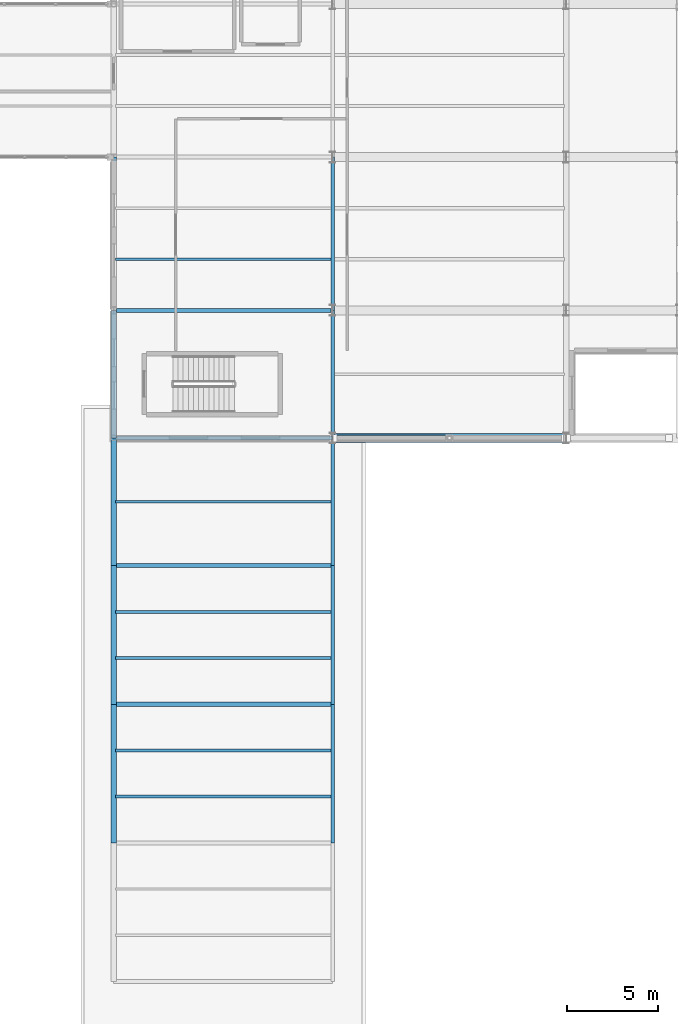
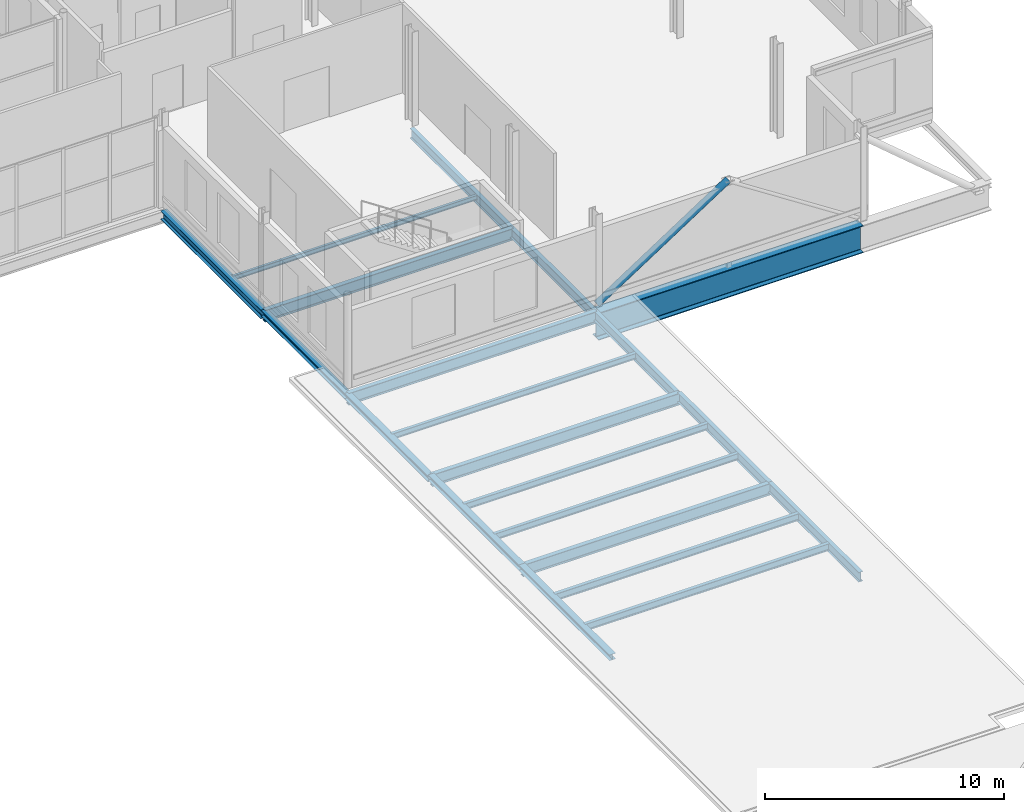
# One storey, part 57 of 120: 21 beams, 1 member.
"""IFC4 building model written with IfcOpenShell, lengths in metres."""

from ifc_helpers import new_model, si_unit, direction, frame, origin, origin_2d, place, context, subcontext, project, spatial, hollow_circle, i_section, extrude, material, material_profile, profile_set, type_object, element, save


model = new_model("IFC4")

# Units and contexts
model_context = context("Model", 3, precision=1e-05, world=origin(), true_north=direction((0.0, 1.0)))
body_context = subcontext(model_context, "Body", "Model", "MODEL_VIEW")
ifc_project = project(units=[si_unit("LENGTHUNIT", "METRE"), si_unit("AREAUNIT", "SQUARE_METRE"), si_unit("VOLUMEUNIT", "CUBIC_METRE"), si_unit("PLANEANGLEUNIT", "RADIAN"), si_unit("MASSUNIT", "GRAM", prefix="KILO")], contexts=[model_context])

# Site, building, storey
site_placement = place(None, origin())
site = spatial("IfcSite", under=ifc_project, at=site_placement, CompositionType="ELEMENT")
building_placement = place(site_placement, origin())
building = spatial("IfcBuilding", under=site, at=building_placement, Name="Vekula Escarpment Museum", CompositionType="ELEMENT")
storey_placement = place(building_placement, frame((0.0, 0.0, 13.199951171875)))
storey = spatial("IfcBuildingStorey", under=building, at=storey_placement, Name="L03", CompositionType="ELEMENT", Elevation=13.199951171875)

# Beams
ifc_material_1 = material(Name="Steel S355", Category="steel")
ifc_material_profile_1 = material_profile(ifc_material_1, i_section(OverallWidth=0.5, OverallDepth=1.39990234375, WebThickness=0.02392578125, FlangeThickness=0.0400390625, FilletRadius=0.02392578125, at=origin_2d()), Name="WPG 1400x500")
ifc_profile_set_1 = profile_set([ifc_material_profile_1], Name="Steel S355")
beam_type_1 = type_object("IfcBeamType", Name="BM-CUMBA-GIRD", PredefinedType="BEAM", material=ifc_profile_set_1)
beam_1_placement = place(storey_placement, frame((179.0, 52.60009765625, -0.97998046875), z_axis=(1.0, 0.0, 0.0), x_axis=(0.0, 1.0, 0.0)))
element("IfcBeam", 1, at=beam_1_placement, inside=storey, type_object=beam_type_1, Name="Beam X L03 1337", PredefinedType="BEAM", context=body_context, shape_type="SweptSolid", body=[
    extrude(i_section(OverallWidth=0.5, OverallDepth=1.39990234375, WebThickness=0.02392578125, FlangeThickness=0.0400390625, FilletRadius=0.02392578125, at=origin_2d()), origin(), (0.0, 0.0, 1.0), 12.800048828125),
])
ifc_material_2 = material(Name="Steel S355", Category="steel")
ifc_material_profile_2 = material_profile(ifc_material_2, i_section(OverallWidth=0.199951171875, OverallDepth=0.5, WebThickness=0.01025390625, FlangeThickness=0.01611328125, FilletRadius=0.02099609375, at=origin_2d()), Name="IPE 500")
ifc_profile_set_2 = profile_set([ifc_material_profile_2], Name="Steel S355")
beam_type_2 = type_object("IfcBeamType", Name="BM-GIRD-IPE500", PredefinedType="BEAM", material=ifc_profile_set_2)
for number, where, z_axis, x_axis, name in (
    (2, (179.0, 30.39990234375, -0.449951171875), (0.0, 1.0, 0.0), (-1.0, 0.0, 0.0), "Beam Y L03 1659"),
    (3, (179.0, 38.0, -0.449951171875), (0.0, 1.0, 0.0), (-1.0, 0.0, 0.0), "Beam Y L03 1660"),
):
    element("IfcBeam", number, at=place(storey_placement, frame(where, z_axis=z_axis, x_axis=x_axis)), inside=storey, type_object=beam_type_2, Name=name, PredefinedType="BEAM", context=body_context, shape_type="SweptSolid", body=[
        extrude(i_section(OverallWidth=0.199951171875, OverallDepth=0.5, WebThickness=0.01025390625, FlangeThickness=0.01611328125, FilletRadius=0.02099609375, at=origin_2d()), origin(), (0.0, 0.0, 1.0), 7.60009765625),
    ])
for number, where, z_axis, x_axis, name in (
    (4, (179.0, 45.60009765625, -0.530029296875), (0.0, 1.0, 0.0), (-1.0, 0.0, 0.0), "Beam Y L03 1661"),
    (5, (179.0, 52.60009765625, -0.530029296875), (0.0, 1.0, 0.0), (-1.0, 0.0, 0.0), "Beam Y L03 1662"),
):
    element("IfcBeam", number, at=place(storey_placement, frame(where, z_axis=z_axis, x_axis=x_axis)), inside=storey, type_object=beam_type_2, Name=name, PredefinedType="BEAM", context=body_context, shape_type="SweptSolid", body=[
        extrude(i_section(OverallWidth=0.199951171875, OverallDepth=0.5, WebThickness=0.01025390625, FlangeThickness=0.01611328125, FilletRadius=0.02099609375, at=origin_2d()), origin(), (0.0, 0.0, 1.0), 7.0),
    ])
beam_2_placement = place(storey_placement, frame((179.0, 59.60009765625, -0.530029296875), z_axis=(0.0, 1.0, 0.0), x_axis=(-1.0, 0.0, 0.0)))
element("IfcBeam", 6, at=beam_2_placement, inside=storey, type_object=beam_type_2, Name="Beam Y L03 1663", PredefinedType="BEAM", context=body_context, shape_type="SweptSolid", body=[
    extrude(i_section(OverallWidth=0.199951171875, OverallDepth=0.5, WebThickness=0.01025390625, FlangeThickness=0.01611328125, FilletRadius=0.02099609375, at=origin_2d()), origin(), (0.0, 0.0, 1.0), 8.39990234375),
])
ifc_material_3 = material(Name="Steel S355", Category="steel")
ifc_material_profile_3 = material_profile(ifc_material_3, i_section(OverallWidth=0.219970703125, OverallDepth=0.60009765625, WebThickness=0.011962890625, FlangeThickness=0.01904296875, FilletRadius=0.02392578125, at=origin_2d()), Name="IPE 600")
ifc_profile_set_3 = profile_set([ifc_material_profile_3], Name="Steel S355")
beam_type_3 = type_object("IfcBeamType", Name="BM-GIRD-IPE600", PredefinedType="BEAM", material=ifc_profile_set_3)
for number, where, z_axis, x_axis, name in (
    (7, (167.0, 38.0, -0.5), (1.0, 0.0, 0.0), (0.0, 1.0, 0.0), "Beam X L03 1313"),
    (8, (167.0, 45.60009765625, -0.5), (1.0, 0.0, 0.0), (0.0, 1.0, 0.0), "Beam X L03 1322"),
    (9, (167.0, 52.60009765625, -0.579833984375), (1.0, 0.0, 0.0), (0.0, 1.0, 0.0), "Beam X L03 1336"),
    (10, (167.0, 59.60009765625, -0.579833984375), (1.0, 0.0, 0.0), (0.0, 1.0, 0.0), "Beam X L03 1354"),
):
    element("IfcBeam", number, at=place(storey_placement, frame(where, z_axis=z_axis, x_axis=x_axis)), inside=storey, type_object=beam_type_3, Name=name, PredefinedType="BEAM", context=body_context, shape_type="SweptSolid", body=[
        extrude(i_section(OverallWidth=0.219970703125, OverallDepth=0.60009765625, WebThickness=0.011962890625, FlangeThickness=0.01904296875, FilletRadius=0.02392578125, at=origin_2d()), origin(), (0.0, 0.0, 1.0), 12.0),
    ])
ifc_material_4 = material(Name="Steel S355", Category="steel")
ifc_material_profile_4 = material_profile(ifc_material_4, i_section(OverallWidth=0.1201171875, OverallDepth=0.239990234375, WebThickness=0.006103515625, FlangeThickness=0.009765625, FilletRadius=0.014892578125, at=origin_2d()), Name="IPE 240")
ifc_profile_set_4 = profile_set([ifc_material_profile_4], Name="Steel S355")
beam_type_4 = type_object("IfcBeamType", Name="BM-JST-IPE240", PredefinedType="JOIST", material=ifc_profile_set_4)
beam_3_placement = place(storey_placement, frame((167.090087890625, 62.39990234375, -0.39990234375), z_axis=(1.0, 0.0, 0.0), x_axis=(0.0, 1.0, 0.0)))
element("IfcBeam", 11, at=beam_3_placement, inside=storey, type_object=beam_type_4, Name="Secondary Joist L03 1101", PredefinedType="JOIST", context=body_context, shape_type="SweptSolid", body=[
    extrude(i_section(OverallWidth=0.1201171875, OverallDepth=0.239990234375, WebThickness=0.006103515625, FlangeThickness=0.009765625, FilletRadius=0.014892578125, at=origin_2d()), origin(), (0.0, 0.0, 1.0), 11.81982421875),
])
ifc_material_5 = material(Name="Steel S355", Category="steel")
ifc_material_profile_5 = material_profile(ifc_material_5, i_section(OverallWidth=0.14990234375, OverallDepth=0.300048828125, WebThickness=0.007080078125, FlangeThickness=0.0107421875, FilletRadius=0.014892578125, at=origin_2d()), Name="IPE 300")
ifc_profile_set_5 = profile_set([ifc_material_profile_5], Name="Steel S355")
beam_type_5 = type_object("IfcBeamType", Name="BM-JST-IPE300", PredefinedType="JOIST", material=ifc_profile_set_5)
beam_4_placement = place(storey_placement, frame((167.090087890625, 49.10009765625, -0.429931640625), z_axis=(1.0, 0.0, 0.0), x_axis=(0.0, 1.0, 0.0)))
element("IfcBeam", 12, at=beam_4_placement, inside=storey, type_object=beam_type_5, Name="Secondary Joist L03 1100", PredefinedType="JOIST", context=body_context, shape_type="SweptSolid", body=[
    extrude(i_section(OverallWidth=0.14990234375, OverallDepth=0.300048828125, WebThickness=0.007080078125, FlangeThickness=0.0107421875, FilletRadius=0.014892578125, at=origin_2d()), origin(), (0.0, 0.0, 1.0), 11.81982421875),
])
ifc_material_6 = material(Name="Steel S355", Category="steel")
ifc_material_profile_6 = material_profile(ifc_material_6, i_section(OverallWidth=0.159912109375, OverallDepth=0.330078125, WebThickness=0.007568359375, FlangeThickness=0.011474609375, FilletRadius=0.01806640625, at=origin_2d()), Name="IPE 330")
ifc_profile_set_6 = profile_set([ifc_material_profile_6], Name="Steel S355")
beam_type_6 = type_object("IfcBeamType", Name="BM-JST-IPE330", PredefinedType="JOIST", material=ifc_profile_set_6)
for number, where, z_axis, x_axis, name in (
    (13, (167.090087890625, 40.533203125, -0.364990234375), (1.0, 0.0, 0.0), (0.0, 1.0, 0.0), "Secondary Joist L03 1098"),
    (14, (167.090087890625, 43.066650390625, -0.364990234375), (1.0, 0.0, 0.0), (0.0, 1.0, 0.0), "Secondary Joist L03 1099"),
):
    element("IfcBeam", number, at=place(storey_placement, frame(where, z_axis=z_axis, x_axis=x_axis)), inside=storey, type_object=beam_type_6, Name=name, PredefinedType="JOIST", context=body_context, shape_type="SweptSolid", body=[
        extrude(i_section(OverallWidth=0.159912109375, OverallDepth=0.330078125, WebThickness=0.007568359375, FlangeThickness=0.011474609375, FilletRadius=0.01806640625, at=origin_2d()), origin(), (0.0, 0.0, 1.0), 11.81982421875),
    ])
ifc_material_7 = material(Name="Steel S355", Category="steel")
ifc_material_profile_7 = material_profile(ifc_material_7, i_section(OverallWidth=0.169921875, OverallDepth=0.360107421875, WebThickness=0.008056640625, FlangeThickness=0.0126953125, FilletRadius=0.01806640625, at=origin_2d()), Name="IPE 360")
ifc_profile_set_7 = profile_set([ifc_material_profile_7], Name="Steel S355")
beam_type_7 = type_object("IfcBeamType", Name="BM-JST-IPE360", PredefinedType="JOIST", material=ifc_profile_set_7)
for number, where, z_axis, x_axis, name in (
    (15, (167.090087890625, 32.933349609375, -0.3798828125), (1.0, 0.0, 0.0), (0.0, 1.0, 0.0), "Secondary Joist L03 1096"),
    (16, (167.090087890625, 35.466796875, -0.3798828125), (1.0, 0.0, 0.0), (0.0, 1.0, 0.0), "Secondary Joist L03 1097"),
):
    element("IfcBeam", number, at=place(storey_placement, frame(where, z_axis=z_axis, x_axis=x_axis)), inside=storey, type_object=beam_type_7, Name=name, PredefinedType="JOIST", context=body_context, shape_type="SweptSolid", body=[
        extrude(i_section(OverallWidth=0.169921875, OverallDepth=0.360107421875, WebThickness=0.008056640625, FlangeThickness=0.0126953125, FilletRadius=0.01806640625, at=origin_2d()), origin(), (0.0, 0.0, 1.0), 11.81982421875),
    ])
ifc_material_8 = material(Name="Steel S355", Category="steel")
ifc_material_profile_8 = material_profile(ifc_material_8, i_section(OverallWidth=0.300048828125, OverallDepth=0.2900390625, WebThickness=0.008544921875, FlangeThickness=0.013916015625, FilletRadius=0.027099609375, at=origin_2d()), Name="HEA 300")
ifc_profile_set_8 = profile_set([ifc_material_profile_8], Name="Steel S355")
beam_type_8 = type_object("IfcBeamType", Name="BM-SPAN-HEA300", PredefinedType="SPANDREL", material=ifc_profile_set_8)
for number, where, z_axis, x_axis, name in (
    (17, (167.0, 30.39990234375, -0.344970703125), (0.0, 1.0, 0.0), (-1.0, 0.0, 0.0), "Beam Y L03 1643"),
    (18, (167.0, 38.0, -0.344970703125), (0.0, 1.0, 0.0), (-1.0, 0.0, 0.0), "Beam Y L03 1644"),
):
    element("IfcBeam", number, at=place(storey_placement, frame(where, z_axis=z_axis, x_axis=x_axis)), inside=storey, type_object=beam_type_8, Name=name, PredefinedType="SPANDREL", context=body_context, shape_type="SweptSolid", body=[
        extrude(i_section(OverallWidth=0.300048828125, OverallDepth=0.2900390625, WebThickness=0.008544921875, FlangeThickness=0.013916015625, FilletRadius=0.027099609375, at=origin_2d()), origin(), (0.0, 0.0, 1.0), 7.60009765625),
    ])
for number, where, z_axis, x_axis, name in (
    (19, (167.0, 45.60009765625, -0.425048828125), (0.0, 1.0, 0.0), (-1.0, 0.0, 0.0), "Beam Y L03 1645"),
    (20, (167.0, 52.60009765625, -0.425048828125), (0.0, 1.0, 0.0), (-1.0, 0.0, 0.0), "Beam Y L03 1646"),
):
    element("IfcBeam", number, at=place(storey_placement, frame(where, z_axis=z_axis, x_axis=x_axis)), inside=storey, type_object=beam_type_8, Name=name, PredefinedType="SPANDREL", context=body_context, shape_type="SweptSolid", body=[
        extrude(i_section(OverallWidth=0.300048828125, OverallDepth=0.2900390625, WebThickness=0.008544921875, FlangeThickness=0.013916015625, FilletRadius=0.027099609375, at=origin_2d()), origin(), (0.0, 0.0, 1.0), 7.0),
    ])
ifc_material_9 = material(Name="Steel S355", Category="steel")
ifc_material_profile_9 = material_profile(ifc_material_9, i_section(OverallWidth=0.300048828125, OverallDepth=0.43994140625, WebThickness=0.011474609375, FlangeThickness=0.02099609375, FilletRadius=0.027099609375, at=origin_2d()), Name="HEA 450")
ifc_profile_set_9 = profile_set([ifc_material_profile_9], Name="Steel S355")
beam_type_9 = type_object("IfcBeamType", Name="BM-SPAN-HEA450", PredefinedType="SPANDREL", material=ifc_profile_set_9)
beam_5_placement = place(storey_placement, frame((167.0, 59.60009765625, -0.5), z_axis=(0.0, 1.0, 0.0), x_axis=(-1.0, 0.0, 0.0)))
element("IfcBeam", 21, at=beam_5_placement, inside=storey, type_object=beam_type_9, Name="Beam Y L03 1647", PredefinedType="SPANDREL", context=body_context, shape_type="SweptSolid", body=[
    extrude(i_section(OverallWidth=0.300048828125, OverallDepth=0.43994140625, WebThickness=0.011474609375, FlangeThickness=0.02099609375, FilletRadius=0.027099609375, at=origin_2d()), origin(), (0.0, 0.0, 1.0), 8.39990234375),
])

# Member
ifc_material_10 = material(Name="Steel S355", Category="steel")
ifc_material_profile_10 = material_profile(ifc_material_10, hollow_circle(Radius=0.161865234375, WallThickness=0.01611328125, at=origin_2d()), Name="CHS 323.9x16")
ifc_profile_set_10 = profile_set([ifc_material_profile_10], Name="Steel S355")
member_type = type_object("IfcMemberType", Name="MB-PRATT-DIAG", PredefinedType="BRACE", material=ifc_profile_set_10)
member_placement = place(storey_placement, frame((179.050048828125, 52.60009765625, 0.02001953125), z_axis=(0.838279367684, 0.0, 0.545240957481), x_axis=(0.0, 1.0, 0.0)))
element("IfcMember", 22, at=member_placement, inside=storey, type_object=member_type, Name="Transfer Truss Back-Span Diagonal 01B1", PredefinedType="BRACE", context=body_context, shape_type="SweptSolid", body=[
    extrude(hollow_circle(Radius=0.161865234375, WallThickness=0.01611328125, at=origin_2d()), origin(), (0.0, 0.0, 1.0), 7.574951171875),
])

save(model, "model.ifc")
